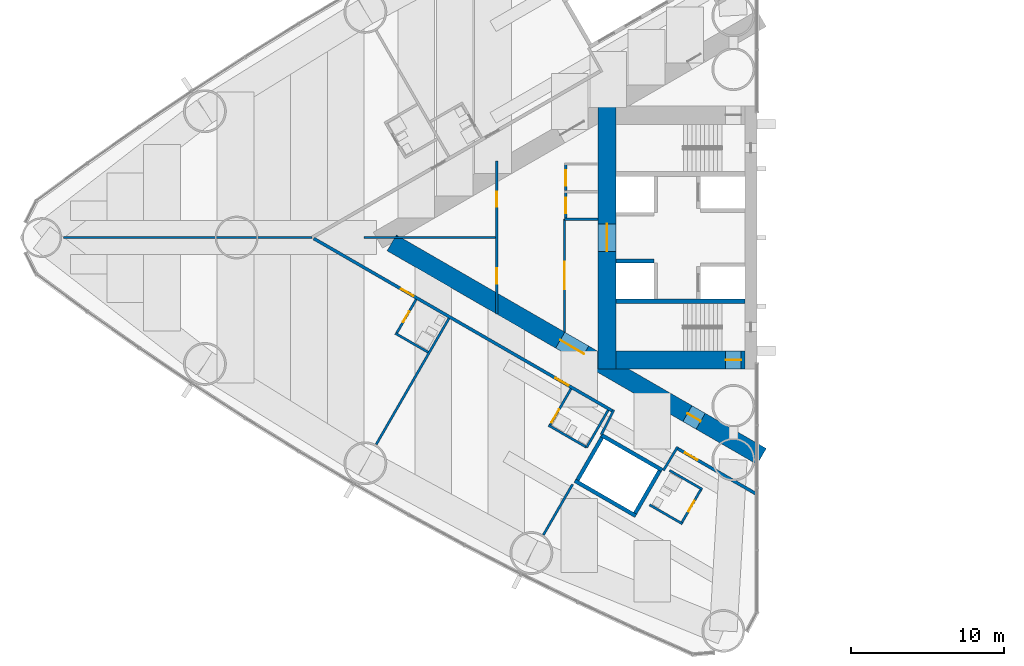
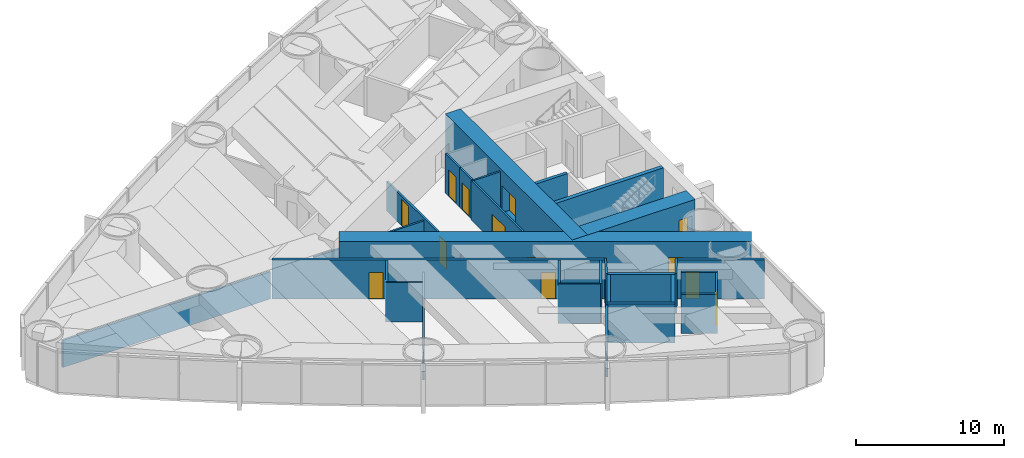
# One storey, part 11 of 19: 30 walls, 15 doors, 15 openings.
"""IFC4 building model written with IfcOpenShell, lengths in metres."""

from ifc_helpers import new_model, si_unit, direction, frame, frame_2d, origin, place, context, subcontext, project, spatial, rectangle, extrude, material, layer, layer_set, type_object, element, fill, save


model = new_model("IFC4")

# Units and contexts
model_context = context("Model", 3, precision=1e-05, world=origin(), true_north=direction((0.0, 1.0)))
body_context = subcontext(model_context, "Body", "Model", "MODEL_VIEW")
ifc_project = project(units=[si_unit("LENGTHUNIT", "METRE"), si_unit("AREAUNIT", "SQUARE_METRE"), si_unit("VOLUMEUNIT", "CUBIC_METRE"), si_unit("PLANEANGLEUNIT", "RADIAN"), si_unit("MASSUNIT", "GRAM", prefix="KILO")], contexts=[model_context])

# Site, building, storey
site_placement = place(None, origin())
site = spatial("IfcSite", under=ifc_project, at=site_placement, CompositionType="ELEMENT")
building_placement = place(site_placement, origin())
building = spatial("IfcBuilding", under=site, at=building_placement, Name="Lancet Gate Hotel", CompositionType="ELEMENT")
storey_placement = place(building_placement, frame((0.0, 0.0, 21.5)))
storey = spatial("IfcBuildingStorey", under=building, at=storey_placement, Name="L04", CompositionType="ELEMENT", Elevation=21.5)

# Wall
ifc_material_1 = material(Name="Moisture resistant board partition")
ifc_layer_1 = layer(ifc_material_1, 0.14990234375)
ifc_layer_set_1 = layer_set([ifc_layer_1], Name="Bathroom wall 150")
wall_type_1 = type_object("IfcWallType", Name="Bathroom wall 150", PredefinedType="PARTITIONING", material=ifc_layer_set_1)
wall_1_placement = place(storey_placement, frame((-48.99169921875, -7.491943359375, 0.0), z_axis=(0.0, 0.0, 1.0), x_axis=(-0.866031185235, 0.4999899861, 0.0)))
element("IfcWall", 1, at=wall_1_placement, inside=storey, type_object=wall_type_1, Name="T1 bathroom wall 150 L04", PredefinedType="PARTITIONING", context=body_context, shape_type="SweptSolid", body=[
    extrude(rectangle(XDim=2.47509765625, YDim=0.14990234375, at=frame_2d((1.237548828125, 0.0))), origin(), (0.0, 0.0, 1.0), 3.25),
])

# Wall, opening, door
wall_2_placement = place(storey_placement, frame((-49.770263671875, -4.040283203125, 0.0), z_axis=(0.0, 0.0, 1.0), x_axis=(-0.500006934395, -0.866021400173, 0.0)))
wall_2 = element("IfcWall", 2, at=wall_2_placement, inside=storey, type_object=wall_type_1, Name="T1 bathroom wall 150 L04", PredefinedType="PARTITIONING", context=body_context, shape_type="SweptSolid", body=[
    extrude(rectangle(XDim=2.60009765625, YDim=0.14990234375, at=frame_2d((1.300048828125, 0.0))), origin(), (0.0, 0.0, 1.0), 3.25),
])
opening_1_placement = place(wall_2_placement, frame((0.89990234375, 0.0, 0.0)))
opening_1 = element("IfcOpeningElement", 3, at=opening_1_placement, cuts=wall_2, Name="Opening 0405-B", PredefinedType="OPENING", context=body_context, shape_type="SweptSolid", body=[
    extrude(rectangle(XDim=0.800048828125, YDim=2.199951171875, at=frame_2d((0.39990234375, 1.10009765625))), frame((0.0, 0.0849609375, 0.0), z_axis=(0.0, -1.0, 0.0), x_axis=(1.0, 0.0, 0.0)), (0.0, 0.0, 1.0), 0.169921875),
])
ifc_material_2 = material(Name="Timber door set", Category="wood")
door_type_1 = type_object("IfcDoorType", Name="Bathroom door 800", OperationType="SINGLE_SWING_RIGHT", PredefinedType="DOOR", material=ifc_material_2)
door_1_placement = place(opening_1_placement, origin())
door_1 = element("IfcDoor", 4, at=door_1_placement, inside=storey, type_object=door_type_1, Name="0405-B", OperationType="SINGLE_SWING_RIGHT", OverallHeight=2.199951171875, OverallWidth=0.800048828125, PredefinedType="DOOR", context=body_context, shape_type="SweptSolid", body=[
    extrude(rectangle(XDim=0.800048828125, YDim=2.199951171875, at=frame_2d((0.39990234375, 1.10009765625))), frame((0.0, 0.02490234375, 0.0), z_axis=(0.0, -1.0, 0.0), x_axis=(1.0, 0.0, 0.0)), (0.0, 0.0, 1.0), 0.050048828125),
])
fill(opening_1, door_1)

# Wall
wall_3_placement = place(storey_placement, frame((-38.630126953125, -13.705322265625, 0.0), z_axis=(0.0, 0.0, 1.0), x_axis=(-0.866018712932, 0.500011588718, 0.0)))
element("IfcWall", 5, at=wall_3_placement, inside=storey, type_object=wall_type_1, Name="T1 bathroom wall 150 L04", PredefinedType="PARTITIONING", context=body_context, shape_type="SweptSolid", body=[
    extrude(rectangle(XDim=2.875, YDim=0.14990234375, at=frame_2d((1.4375, 0.0))), origin(), (0.0, 0.0, 1.0), 3.25),
])

# Wall, opening, door
wall_4_placement = place(storey_placement, frame((-39.65478515625, -9.88037109375, 0.0), z_axis=(0.0, 0.0, 1.0), x_axis=(-0.500049511043, -0.865996816683, 0.0)))
wall_4 = element("IfcWall", 6, at=wall_4_placement, inside=storey, type_object=wall_type_1, Name="T1 bathroom wall 150 L04", PredefinedType="PARTITIONING", context=body_context, shape_type="SweptSolid", body=[
    extrude(rectangle(XDim=2.800048828125, YDim=0.14990234375, at=frame_2d((1.39990234375, 0.0))), origin(), (0.0, 0.0, 1.0), 3.25),
])
opening_2_placement = place(wall_4_placement, frame((1.550048828125, 0.0, 0.0)))
opening_2 = element("IfcOpeningElement", 7, at=opening_2_placement, cuts=wall_4, Name="Opening 0407-B", PredefinedType="OPENING", context=body_context, shape_type="SweptSolid", body=[
    extrude(rectangle(XDim=1.0, YDim=2.199951171875, at=frame_2d((0.5, 1.10009765625))), frame((0.0, 0.0849609375, 0.0), z_axis=(0.0, -1.0, 0.0), x_axis=(1.0, 0.0, 0.0)), (0.0, 0.0, 1.0), 0.169921875),
])
ifc_material_3 = material(Name="Timber door set", Category="wood")
door_type_2 = type_object("IfcDoorType", Name="Accessible en-suite door 1000", OperationType="SINGLE_SWING_RIGHT", PredefinedType="DOOR", material=ifc_material_3)
door_2_placement = place(opening_2_placement, origin())
door_2 = element("IfcDoor", 8, at=door_2_placement, inside=storey, type_object=door_type_2, Name="0407-B", OperationType="SINGLE_SWING_RIGHT", OverallHeight=2.199951171875, OverallWidth=1.0, PredefinedType="DOOR", context=body_context, shape_type="SweptSolid", body=[
    extrude(rectangle(XDim=1.0, YDim=2.199951171875, at=frame_2d((0.5, 1.10009765625))), frame((0.0, 0.02490234375, 0.0), z_axis=(0.0, -1.0, 0.0), x_axis=(1.0, 0.0, 0.0)), (0.0, 0.0, 1.0), 0.050048828125),
])
fill(opening_2, door_2)

# Walls
wall_5_placement = place(storey_placement, frame((-37.22998046875, -11.280517578125, 0.0), z_axis=(0.0, 0.0, 1.0), x_axis=(-0.500049511043, -0.865996816683, 0.0)))
element("IfcWall", 9, at=wall_5_placement, inside=storey, type_object=wall_type_1, Name="T1 bathroom wall 150 L04", PredefinedType="PARTITIONING", context=body_context, shape_type="SweptSolid", body=[
    extrude(rectangle(XDim=2.800048828125, YDim=0.14990234375, at=frame_2d((1.39990234375, 0.0))), origin(), (0.0, 0.0, 1.0), 3.25),
])
wall_6_placement = place(storey_placement, frame((-32.3759765625, -18.70166015625, 0.0), z_axis=(0.0, 0.0, 1.0), x_axis=(-0.866006523861, 0.500032699561, 0.0)))
element("IfcWall", 10, at=wall_6_placement, inside=storey, type_object=wall_type_1, Name="T1 bathroom wall 150 L04", PredefinedType="PARTITIONING", context=body_context, shape_type="SweptSolid", body=[
    extrude(rectangle(XDim=2.474853515625, YDim=0.14990234375, at=frame_2d((1.2373046875, 0.0))), origin(), (0.0, 0.0, 1.0), 3.25),
])

# Wall, opening, door
wall_7_placement = place(storey_placement, frame((-31.140869140625, -16.41259765625, 0.0), z_axis=(0.0, 0.0, 1.0), x_axis=(-0.500006934395, -0.866021400173, 0.0)))
wall_7 = element("IfcWall", 11, at=wall_7_placement, inside=storey, type_object=wall_type_1, Name="T1 bathroom wall 150 L04", PredefinedType="PARTITIONING", context=body_context, shape_type="SweptSolid", body=[
    extrude(rectangle(XDim=2.60009765625, YDim=0.14990234375, at=frame_2d((1.300048828125, 0.0))), origin(), (0.0, 0.0, 1.0), 3.25),
])
opening_3_placement = place(wall_7_placement, frame((0.89990234375, 0.0, 0.0)))
opening_3 = element("IfcOpeningElement", 12, at=opening_3_placement, cuts=wall_7, Name="Opening 0408-B", PredefinedType="OPENING", context=body_context, shape_type="SweptSolid", body=[
    extrude(rectangle(XDim=0.800048828125, YDim=2.199951171875, at=frame_2d((0.39990234375, 1.10009765625))), frame((0.0, 0.0849609375, 0.0), z_axis=(0.0, -1.0, 0.0), x_axis=(1.0, 0.0, 0.0)), (0.0, 0.0, 1.0), 0.169921875),
])
door_3_placement = place(opening_3_placement, origin())
door_3 = element("IfcDoor", 13, at=door_3_placement, inside=storey, type_object=door_type_1, Name="0408-B", OperationType="SINGLE_SWING_RIGHT", OverallHeight=2.199951171875, OverallWidth=0.800048828125, PredefinedType="DOOR", context=body_context, shape_type="SweptSolid", body=[
    extrude(rectangle(XDim=0.800048828125, YDim=2.199951171875, at=frame_2d((0.39990234375, 1.10009765625))), frame((0.0, 0.02490234375, 0.0), z_axis=(0.0, -1.0, 0.0), x_axis=(1.0, 0.0, 0.0)), (0.0, 0.0, 1.0), 0.050048828125),
])
fill(opening_3, door_3)

# Wall
wall_8_placement = place(storey_placement, frame((-31.075927734375, -16.449951171875, 0.0), z_axis=(0.0, 0.0, 1.0), x_axis=(-0.866073894602, 0.499916002032, 0.0)))
element("IfcWall", 14, at=wall_8_placement, inside=storey, type_object=wall_type_1, Name="T1 bathroom wall 150 L04", PredefinedType="PARTITIONING", context=body_context, shape_type="SweptSolid", body=[
    extrude(rectangle(XDim=2.47509765625, YDim=0.14990234375, at=frame_2d((1.237548828125, 0.0))), origin(), (0.0, 0.0, 1.0), 3.25),
])

# Wall, openings, doors
ifc_material_4 = material(Name="Concrete C70/85", Category="concrete")
ifc_layer_2 = layer(ifc_material_4, 1.199951171875)
ifc_layer_set_2 = layer_set([ifc_layer_2], Name="Buttress wall 1200")
wall_type_2 = type_object("IfcWallType", Name="Buttress wall 1200", PredefinedType="SHEAR", material=ifc_layer_set_2)
wall_9_placement = place(storey_placement, frame((-27.199951171875, -14.300048828125, 0.0), z_axis=(0.0, 0.0, 1.0), x_axis=(-0.866024021859, 0.500002393557, 0.0)))
wall_9 = element("IfcWall", 15, at=wall_9_placement, inside=storey, type_object=wall_type_2, Name="T1 buttress wall N L04", PredefinedType="SHEAR", context=body_context, shape_type="SweptSolid", body=[
    extrude(rectangle(XDim=27.906982421875, YDim=1.199951171875, at=frame_2d((13.95361328125, 0.0))), origin(), (0.0, 0.0, 1.0), 3.5),
])
opening_4_placement = place(wall_9_placement, frame((4.60009765625, 0.0, 0.0)))
opening_4 = element("IfcOpeningElement", 16, at=opening_4_placement, cuts=wall_9, Name="Opening T1-L04-LN", PredefinedType="OPENING", context=body_context, shape_type="SweptSolid", body=[
    extrude(rectangle(XDim=1.0, YDim=2.199951171875, at=frame_2d((0.5, 1.10009765625))), frame((0.0, 0.60986328125, 0.0), z_axis=(0.0, -1.0, 0.0), x_axis=(1.0, 0.0, 0.0)), (0.0, 0.0, 1.0), 1.219970703125),
])
opening_5_placement = place(wall_9_placement, frame((13.39453125, 0.0, 0.0)))
opening_5 = element("IfcOpeningElement", 17, at=opening_5_placement, cuts=wall_9, Name="Opening T1-L04-LHN", PredefinedType="OPENING", context=body_context, shape_type="SweptSolid", body=[
    extrude(rectangle(XDim=1.800048828125, YDim=2.199951171875, at=frame_2d((0.89990234375, 1.10009765625))), frame((0.0, 0.60986328125, 0.0), z_axis=(0.0, -1.0, 0.0), x_axis=(1.0, 0.0, 0.0)), (0.0, 0.0, 1.0), 1.219970703125),
])
ifc_material_5 = material(Name="Timber door set", Category="wood")
door_type_3 = type_object("IfcDoorType", Name="Lobby double door 1800", OperationType="DOUBLE_DOOR_SINGLE_SWING", PredefinedType="DOOR", material=ifc_material_5)
door_4_placement = place(opening_5_placement, origin())
door_4 = element("IfcDoor", 18, at=door_4_placement, inside=storey, type_object=door_type_3, Name="T1-L04-LHN", OperationType="DOUBLE_DOOR_SINGLE_SWING", OverallHeight=2.199951171875, OverallWidth=1.800048828125, PredefinedType="DOOR", context=body_context, shape_type="SweptSolid", body=[
    extrude(rectangle(XDim=1.800048828125, YDim=2.199951171875, at=frame_2d((0.89990234375, 1.10009765625))), frame((0.0, 0.02490234375, 0.0), z_axis=(0.0, -1.0, 0.0), x_axis=(1.0, 0.0, 0.0)), (0.0, 0.0, 1.0), 0.050048828125),
])
fill(opening_5, door_4)
ifc_material_6 = material(Name="Timber door set", Category="wood")
door_type_4 = type_object("IfcDoorType", Name="Stair lobby door 1000", OperationType="SINGLE_SWING_LEFT", PredefinedType="DOOR", material=ifc_material_6)
door_5_placement = place(opening_4_placement, origin())
door_5 = element("IfcDoor", 19, at=door_5_placement, inside=storey, type_object=door_type_4, Name="T1-L04-LN", OperationType="SINGLE_SWING_LEFT", OverallHeight=2.199951171875, OverallWidth=1.0, PredefinedType="DOOR", context=body_context, shape_type="SweptSolid", body=[
    extrude(rectangle(XDim=1.0, YDim=2.199951171875, at=frame_2d((0.5, 1.10009765625))), frame((0.0, 0.02490234375, 0.0), z_axis=(0.0, -1.0, 0.0), x_axis=(1.0, 0.0, 0.0)), (0.0, 0.0, 1.0), 0.050048828125),
])
fill(opening_4, door_5)

# Wall, opening, door
ifc_material_7 = material(Name="Concrete C70/85", Category="concrete")
ifc_layer_3 = layer(ifc_material_7, 1.199951171875)
ifc_layer_set_3 = layer_set([ifc_layer_3], Name="Core wall 1200")
wall_type_3 = type_object("IfcWallType", Name="Core wall 1200", PredefinedType="SHEAR", material=ifc_layer_set_3)
wall_10_placement = place(storey_placement, frame((-37.300048828125, 8.60009765625, 0.0), z_axis=(0.0, 0.0, 1.0), x_axis=(0.0, -1.0, 0.0)))
wall_10 = element("IfcWall", 20, at=wall_10_placement, inside=storey, type_object=wall_type_3, Name="T1 core wall back L04", PredefinedType="SHEAR", context=body_context, shape_type="SweptSolid", body=[
    extrude(rectangle(XDim=17.2001953125, YDim=1.199951171875, at=frame_2d((8.60009765625, 0.0))), origin(), (0.0, 0.0, 1.0), 3.5),
])
opening_6_placement = place(wall_10_placement, frame((7.699951171875, 0.0, 0.0)))
opening_6 = element("IfcOpeningElement", 21, at=opening_6_placement, cuts=wall_10, Name="Opening T1-L04-LL", PredefinedType="OPENING", context=body_context, shape_type="SweptSolid", body=[
    extrude(rectangle(XDim=1.800048828125, YDim=2.199951171875, at=frame_2d((0.89990234375, 1.10009765625))), frame((0.0, 0.60986328125, 0.0), z_axis=(0.0, -1.0, 0.0), x_axis=(1.0, 0.0, 0.0)), (0.0, 0.0, 1.0), 1.219970703125),
])
door_6_placement = place(opening_6_placement, origin())
door_6 = element("IfcDoor", 22, at=door_6_placement, inside=storey, type_object=door_type_3, Name="T1-L04-LL", OperationType="DOUBLE_DOOR_SINGLE_SWING", OverallHeight=2.199951171875, OverallWidth=1.800048828125, PredefinedType="DOOR", context=body_context, shape_type="SweptSolid", body=[
    extrude(rectangle(XDim=1.800048828125, YDim=2.199951171875, at=frame_2d((0.89990234375, 1.10009765625))), frame((0.0, 0.02490234375, 0.0), z_axis=(0.0, -1.0, 0.0), x_axis=(1.0, 0.0, 0.0)), (0.0, 0.0, 1.0), 0.050048828125),
])
fill(opening_6, door_6)

wall_11_placement = place(storey_placement, frame((-28.300048828125, -8.0, 0.0), z_axis=(0.0, 0.0, 1.0), x_axis=(-1.0, 0.0, 0.0)))
wall_11 = element("IfcWall", 23, at=wall_11_placement, inside=storey, type_object=wall_type_3, Name="T1 core wall side-N L04", PredefinedType="SHEAR", context=body_context, shape_type="SweptSolid", body=[
    extrude(rectangle(XDim=8.39990234375, YDim=1.199951171875, at=frame_2d((4.199951171875, 0.0))), origin(), (0.0, 0.0, 1.0), 3.5),
])
opening_7_placement = place(wall_11_placement, frame((0.25, 0.0, 0.0)))
opening_7 = element("IfcOpeningElement", 24, at=opening_7_placement, cuts=wall_11, Name="Opening T1-L04-ST2", PredefinedType="OPENING", context=body_context, shape_type="SweptSolid", body=[
    extrude(rectangle(XDim=1.0, YDim=2.199951171875, at=frame_2d((0.5, 1.10009765625))), frame((0.0, 0.60986328125, 0.0), z_axis=(0.0, -1.0, 0.0), x_axis=(1.0, 0.0, 0.0)), (0.0, 0.0, 1.0), 1.219970703125),
])
ifc_material_8 = material(Name="Timber door set", Category="wood")
door_type_5 = type_object("IfcDoorType", Name="Stair door 1000", OperationType="SINGLE_SWING_RIGHT", PredefinedType="DOOR", material=ifc_material_8)
door_7_placement = place(opening_7_placement, origin())
door_7 = element("IfcDoor", 25, at=door_7_placement, inside=storey, type_object=door_type_5, Name="T1-L04-ST2", OperationType="SINGLE_SWING_RIGHT", OverallHeight=2.199951171875, OverallWidth=1.0, PredefinedType="DOOR", context=body_context, shape_type="SweptSolid", body=[
    extrude(rectangle(XDim=1.0, YDim=2.199951171875, at=frame_2d((0.5, 1.10009765625))), frame((0.0, 0.02490234375, 0.0), z_axis=(0.0, -1.0, 0.0), x_axis=(1.0, 0.0, 0.0)), (0.0, 0.0, 1.0), 0.050048828125),
])
fill(opening_7, door_7)

ifc_material_9 = material(Name="Gypsum board partition")
ifc_layer_4 = layer(ifc_material_9, 0.199951171875)
ifc_layer_set_4 = layer_set([ifc_layer_4], Name="Corridor wall 200")
wall_type_4 = type_object("IfcWallType", Name="Corridor wall 200", PredefinedType="PARTITIONING", material=ifc_layer_set_4)
wall_12_placement = place(storey_placement, frame((-27.572021484375, -16.740966796875, 0.0), z_axis=(0.0, 0.0, 1.0), x_axis=(-0.866024464444, 0.500001626982, 0.0)))
wall_12 = element("IfcWall", 26, at=wall_12_placement, inside=storey, type_object=wall_type_4, Name="T1 corridor wall 200 L04", PredefinedType="PARTITIONING", context=body_context, shape_type="SweptSolid", body=[
    extrude(rectangle(XDim=5.955078125, YDim=0.199951171875, at=frame_2d((2.9775390625, 0.0))), origin(), (0.0, 0.0, 1.0), 3.25),
])
opening_8_placement = place(wall_12_placement, frame((4.405029296875, 0.0, 0.0)))
opening_8 = element("IfcOpeningElement", 27, at=opening_8_placement, cuts=wall_12, Name="Opening 0408-E", PredefinedType="OPENING", context=body_context, shape_type="SweptSolid", body=[
    extrude(rectangle(XDim=0.949951171875, YDim=2.199951171875, at=frame_2d((0.47509765625, 1.10009765625))), frame((0.0, 0.10986328125, 0.0), z_axis=(0.0, -1.0, 0.0), x_axis=(1.0, 0.0, 0.0)), (0.0, 0.0, 1.0), 0.219970703125),
])
ifc_material_10 = material(Name="Timber door set", Category="wood")
door_type_6 = type_object("IfcDoorType", Name="Guest room entry door 950", OperationType="SINGLE_SWING_LEFT", PredefinedType="DOOR", material=ifc_material_10)
door_8_placement = place(opening_8_placement, origin())
door_8 = element("IfcDoor", 28, at=door_8_placement, inside=storey, type_object=door_type_6, Name="0408-E", OperationType="SINGLE_SWING_LEFT", OverallHeight=2.199951171875, OverallWidth=0.949951171875, PredefinedType="DOOR", context=body_context, shape_type="SweptSolid", body=[
    extrude(rectangle(XDim=0.949951171875, YDim=2.199951171875, at=frame_2d((0.47509765625, 1.10009765625))), frame((0.0, 0.02490234375, 0.0), z_axis=(0.0, -1.0, 0.0), x_axis=(1.0, 0.0, 0.0)), (0.0, 0.0, 1.0), 0.050048828125),
])
fill(opening_8, door_8)

# Wall, openings, doors
wall_13_placement = place(storey_placement, frame((-36.920166015625, -11.34375, 0.0), z_axis=(0.0, 0.0, 1.0), x_axis=(-0.866028313256, 0.499994960614, 0.0)))
wall_13 = element("IfcWall", 29, at=wall_13_placement, inside=storey, type_object=wall_type_4, Name="T1 corridor wall 200 L04", PredefinedType="PARTITIONING", context=body_context, shape_type="SweptSolid", body=[
    extrude(rectangle(XDim=22.567626953125, YDim=0.199951171875, at=frame_2d((11.28369140625, 0.0))), origin(), (0.0, 0.0, 1.0), 3.25),
])
opening_9_placement = place(wall_13_placement, frame((15.0302734375, 0.0, 0.0)))
opening_9 = element("IfcOpeningElement", 30, at=opening_9_placement, cuts=wall_13, Name="Opening 0405-E", PredefinedType="OPENING", context=body_context, shape_type="SweptSolid", body=[
    extrude(rectangle(XDim=0.949951171875, YDim=2.199951171875, at=frame_2d((0.47509765625, 1.10009765625))), frame((0.0, 0.10986328125, 0.0), z_axis=(0.0, -1.0, 0.0), x_axis=(1.0, 0.0, 0.0)), (0.0, 0.0, 1.0), 0.219970703125),
])
opening_10_placement = place(wall_13_placement, frame((3.35009765625, 0.0, 0.0)))
opening_10 = element("IfcOpeningElement", 31, at=opening_10_placement, cuts=wall_13, Name="Opening 0407-E", PredefinedType="OPENING", context=body_context, shape_type="SweptSolid", body=[
    extrude(rectangle(XDim=1.0, YDim=2.199951171875, at=frame_2d((0.5, 1.10009765625))), frame((0.0, 0.10986328125, 0.0), z_axis=(0.0, -1.0, 0.0), x_axis=(1.0, 0.0, 0.0)), (0.0, 0.0, 1.0), 0.219970703125),
])
ifc_material_11 = material(Name="Timber door set", Category="wood")
door_type_7 = type_object("IfcDoorType", Name="Accessible guest room door 1000", OperationType="SINGLE_SWING_LEFT", PredefinedType="DOOR", material=ifc_material_11)
door_9_placement = place(opening_10_placement, origin())
door_9 = element("IfcDoor", 32, at=door_9_placement, inside=storey, type_object=door_type_7, Name="0407-E", OperationType="SINGLE_SWING_LEFT", OverallHeight=2.199951171875, OverallWidth=1.0, PredefinedType="DOOR", context=body_context, shape_type="SweptSolid", body=[
    extrude(rectangle(XDim=1.0, YDim=2.199951171875, at=frame_2d((0.5, 1.10009765625))), frame((0.0, 0.02490234375, 0.0), z_axis=(0.0, -1.0, 0.0), x_axis=(1.0, 0.0, 0.0)), (0.0, 0.0, 1.0), 0.050048828125),
])
fill(opening_10, door_9)
door_10_placement = place(opening_9_placement, origin())
door_10 = element("IfcDoor", 33, at=door_10_placement, inside=storey, type_object=door_type_6, Name="0405-E", OperationType="SINGLE_SWING_LEFT", OverallHeight=2.199951171875, OverallWidth=0.949951171875, PredefinedType="DOOR", context=body_context, shape_type="SweptSolid", body=[
    extrude(rectangle(XDim=0.949951171875, YDim=2.199951171875, at=frame_2d((0.47509765625, 1.10009765625))), frame((0.0, 0.02490234375, 0.0), z_axis=(0.0, -1.0, 0.0), x_axis=(1.0, 0.0, 0.0)), (0.0, 0.0, 1.0), 0.050048828125),
])
fill(opening_9, door_10)

# Walls
ifc_material_12 = material(Name="Gypsum board partition")
ifc_layer_5 = layer(ifc_material_12, 0.25)
ifc_layer_set_5 = layer_set([ifc_layer_5], Name="Lift shaft partition 250")
wall_type_5 = type_object("IfcWallType", Name="Lift shaft partition 250", PredefinedType="PARTITIONING", material=ifc_layer_set_5)
wall_14_placement = place(storey_placement, frame((-33.695556640625, -15.197265625, 0.0), z_axis=(0.0, 0.0, 1.0), x_axis=(-0.865976953817, 0.500083908417, 0.0)))
element("IfcWall", 34, at=wall_14_placement, inside=storey, type_object=wall_type_5, Name="T1 lift shaft wall EX L04", PredefinedType="PARTITIONING", context=body_context, shape_type="SweptSolid", body=[
    extrude(rectangle(XDim=4.599365234375, YDim=0.25, at=frame_2d((2.2998046875, 0.0))), origin(), (0.0, 0.0, 1.0), 3.25),
])
wall_15_placement = place(storey_placement, frame((-35.42041015625, -18.185791015625, 0.0), z_axis=(0.0, 0.0, 1.0), x_axis=(-0.865990227814, 0.50006092162, 0.0)))
element("IfcWall", 35, at=wall_15_placement, inside=storey, type_object=wall_type_5, Name="T1 lift shaft wall EX L04", PredefinedType="PARTITIONING", context=body_context, shape_type="SweptSolid", body=[
    extrude(rectangle(XDim=4.599609375, YDim=0.25, at=frame_2d((2.2998046875, 0.0))), origin(), (0.0, 0.0, 1.0), 3.25),
])
wall_16_placement = place(storey_placement, frame((-33.8662109375, -15.242919921875, 0.0), z_axis=(0.0, 0.0, 1.0), x_axis=(-0.499929347863, -0.866066190972, 0.0)))
element("IfcWall", 36, at=wall_16_placement, inside=storey, type_object=wall_type_5, Name="T1 lift shaft wall EX L04", PredefinedType="PARTITIONING", context=body_context, shape_type="SweptSolid", body=[
    extrude(rectangle(XDim=3.20068359375, YDim=0.25, at=frame_2d((1.600341796875, 0.0))), origin(), (0.0, 0.0, 1.0), 3.25),
])
wall_17_placement = place(storey_placement, frame((-37.6328125, -13.068115234375, 0.0), z_axis=(0.0, 0.0, 1.0), x_axis=(-0.499872130319, -0.866099216793, 0.0)))
element("IfcWall", 37, at=wall_17_placement, inside=storey, type_object=wall_type_5, Name="T1 lift shaft wall EX L04", PredefinedType="PARTITIONING", context=body_context, shape_type="SweptSolid", body=[
    extrude(rectangle(XDim=3.200439453125, YDim=0.25, at=frame_2d((1.60009765625, 0.0))), origin(), (0.0, 0.0, 1.0), 3.25),
])
ifc_material_13 = material(Name="Concrete C50/60", Category="concrete")
ifc_layer_6 = layer(ifc_material_13, 0.25)
ifc_layer_set_6 = layer_set([ifc_layer_6], Name="Lift shaft wall 250")
wall_type_6 = type_object("IfcWallType", Name="Lift shaft wall 250", PredefinedType="SHEAR", material=ifc_layer_set_6)
wall_18_placement = place(storey_placement, frame((-34.25, -1.52490234375, 0.0), z_axis=(0.0, 0.0, 1.0), x_axis=(-1.0, 0.0, 0.0)))
element("IfcWall", 38, at=wall_18_placement, inside=storey, type_object=wall_type_6, Name="T1 core wall pass2-N L04", PredefinedType="SHEAR", context=body_context, shape_type="SweptSolid", body=[
    extrude(rectangle(XDim=2.449951171875, YDim=0.25, at=frame_2d((1.22509765625, 0.0))), origin(), (0.0, 0.0, 1.0), 3.5),
])
ifc_material_14 = material(Name="Gypsum board partition")
ifc_layer_7 = layer(ifc_material_14, 0.14990234375)
ifc_layer_set_7 = layer_set([ifc_layer_7], Name="Party wall 150")
wall_type_7 = type_object("IfcWallType", Name="Party wall 150", PredefinedType="PARTITIONING", material=ifc_layer_set_7)
wall_19_placement = place(storey_placement, frame((-47.626708984375, -5.27783203125, 0.0), z_axis=(0.0, 0.0, 1.0), x_axis=(-0.500009844318, -0.86601972009, 0.0)))
element("IfcWall", 39, at=wall_19_placement, inside=storey, type_object=wall_type_7, Name="T1 party wall 150 L04", PredefinedType="PARTITIONING", context=body_context, shape_type="SweptSolid", body=[
    extrude(rectangle(XDim=9.510498046875, YDim=0.14990234375, at=frame_2d((4.75537109375, 0.0))), origin(), (0.0, 0.0, 1.0), 2.25),
])
wall_20_placement = place(storey_placement, frame((-56.568359375, 0.0, 0.0), z_axis=(0.0, 0.0, 1.0), x_axis=(-1.0, 0.0, 0.0)))
element("IfcWall", 40, at=wall_20_placement, inside=storey, type_object=wall_type_7, Name="T1 party wall 150 L04", PredefinedType="PARTITIONING", context=body_context, shape_type="SweptSolid", body=[
    extrude(rectangle(XDim=16.246826171875, YDim=0.14990234375, at=frame_2d((8.12353515625, 0.0))), origin(), (0.0, 0.0, 1.0), 2.25),
])
wall_21_placement = place(storey_placement, frame((-39.55078125, -16.118408203125, 0.0), z_axis=(0.0, 0.0, 1.0), x_axis=(-0.499986503906, -0.866033195618, 0.0)))
element("IfcWall", 41, at=wall_21_placement, inside=storey, type_object=wall_type_7, Name="T1 party wall 150 L04", PredefinedType="PARTITIONING", context=body_context, shape_type="SweptSolid", body=[
    extrude(rectangle(XDim=3.81494140625, YDim=0.14990234375, at=frame_2d((1.907470703125, 0.0))), origin(), (0.0, 0.0, 1.0), 3.25),
])
ifc_material_15 = material(Name="Gypsum board partition")
ifc_layer_8 = layer(ifc_material_15, 0.14990234375)
ifc_layer_set_8 = layer_set([ifc_layer_8], Name="Service room wall 150")
wall_type_8 = type_object("IfcWallType", Name="Service room wall 150", PredefinedType="PARTITIONING", material=ifc_layer_set_8)
wall_22_placement = place(storey_placement, frame((-36.857177734375, -11.2646484375, 0.0), z_axis=(0.0, 0.0, 1.0), x_axis=(-0.454225294761, -0.890886851176, 0.0)))
element("IfcWall", 42, at=wall_22_placement, inside=storey, type_object=wall_type_8, Name="T1 service room wall 150 L04", PredefinedType="PARTITIONING", context=body_context, shape_type="SweptSolid", body=[
    extrude(rectangle(XDim=1.80712890625, YDim=0.14990234375, at=frame_2d((0.903564453125, 0.0))), origin(), (0.0, 0.0, 1.0), 3.25),
])
wall_23_placement = place(storey_placement, frame((-33.62060546875, -15.217529296875, 0.0), z_axis=(0.0, 0.0, 1.0), x_axis=(0.514336634837, 0.857588377991, 0.0)))
element("IfcWall", 43, at=wall_23_placement, inside=storey, type_object=wall_type_8, Name="T1 service room wall 150 L04", PredefinedType="PARTITIONING", context=body_context, shape_type="SweptSolid", body=[
    extrude(rectangle(XDim=1.80517578125, YDim=0.14990234375, at=frame_2d((0.902587890625, 0.0))), origin(), (0.0, 0.0, 1.0), 3.25),
])
wall_24_placement = place(storey_placement, frame((-37.89990234375, 1.199951171875, 0.0), z_axis=(0.0, 0.0, 1.0), x_axis=(-1.0, 0.0, 0.0)))
element("IfcWall", 44, at=wall_24_placement, inside=storey, type_object=wall_type_8, Name="T1 service room wall 150 L04", PredefinedType="PARTITIONING", context=body_context, shape_type="SweptSolid", body=[
    extrude(rectangle(XDim=2.175048828125, YDim=0.14990234375, at=frame_2d((1.08740234375, 0.0))), origin(), (0.0, 0.0, 1.0), 3.25),
])

# Wall, opening, door
wall_25_placement = place(storey_placement, frame((-40.0, 3.074951171875, 0.0), z_axis=(0.0, 0.0, 1.0), x_axis=(0.0, -1.0, 0.0)))
wall_25 = element("IfcWall", 45, at=wall_25_placement, inside=storey, type_object=wall_type_8, Name="T1 service room wall 150 L04", PredefinedType="PARTITIONING", context=body_context, shape_type="SweptSolid", body=[
    extrude(rectangle(XDim=1.949951171875, YDim=0.14990234375, at=frame_2d((0.97509765625, 0.0))), origin(), (0.0, 0.0, 1.0), 3.25),
])
opening_11_placement = place(wall_25_placement, frame((0.47509765625, 0.0, 0.0)))
opening_11 = element("IfcOpeningElement", 46, at=opening_11_placement, cuts=wall_25, Name="Opening T1-L04-HRS0", PredefinedType="OPENING", context=body_context, shape_type="SweptSolid", body=[
    extrude(rectangle(XDim=1.0, YDim=2.199951171875, at=frame_2d((0.5, 1.10009765625))), frame((0.0, 0.0849609375, 0.0), z_axis=(0.0, -1.0, 0.0), x_axis=(1.0, 0.0, 0.0)), (0.0, 0.0, 1.0), 0.169921875),
])
ifc_material_16 = material(Name="Timber door set", Category="wood")
door_type_8 = type_object("IfcDoorType", Name="Service door 1000", OperationType="SINGLE_SWING_LEFT", PredefinedType="DOOR", material=ifc_material_16)
door_11_placement = place(opening_11_placement, origin())
door_11 = element("IfcDoor", 47, at=door_11_placement, inside=storey, type_object=door_type_8, Name="T1-L04-HRS0", OperationType="SINGLE_SWING_LEFT", OverallHeight=2.199951171875, OverallWidth=1.0, PredefinedType="DOOR", context=body_context, shape_type="SweptSolid", body=[
    extrude(rectangle(XDim=1.0, YDim=2.199951171875, at=frame_2d((0.5, 1.10009765625))), frame((0.0, 0.02490234375, 0.0), z_axis=(0.0, -1.0, 0.0), x_axis=(1.0, 0.0, 0.0)), (0.0, 0.0, 1.0), 0.050048828125),
])
fill(opening_11, door_11)

wall_26_placement = place(storey_placement, frame((-40.0, 4.875, 0.0), z_axis=(0.0, 0.0, 1.0), x_axis=(0.0, -1.0, 0.0)))
wall_26 = element("IfcWall", 48, at=wall_26_placement, inside=storey, type_object=wall_type_8, Name="T1 service room wall 150 L04", PredefinedType="PARTITIONING", context=body_context, shape_type="SweptSolid", body=[
    extrude(rectangle(XDim=1.949951171875, YDim=0.14990234375, at=frame_2d((0.97509765625, 0.0))), origin(), (0.0, 0.0, 1.0), 3.25),
])
opening_12_placement = place(wall_26_placement, frame((0.47509765625, 0.0, 0.0)))
opening_12 = element("IfcOpeningElement", 49, at=opening_12_placement, cuts=wall_26, Name="Opening T1-L04-HRS1", PredefinedType="OPENING", context=body_context, shape_type="SweptSolid", body=[
    extrude(rectangle(XDim=1.0, YDim=2.199951171875, at=frame_2d((0.5, 1.10009765625))), frame((0.0, 0.0849609375, 0.0), z_axis=(0.0, -1.0, 0.0), x_axis=(1.0, 0.0, 0.0)), (0.0, 0.0, 1.0), 0.169921875),
])
door_12_placement = place(opening_12_placement, origin())
door_12 = element("IfcDoor", 50, at=door_12_placement, inside=storey, type_object=door_type_8, Name="T1-L04-HRS1", OperationType="SINGLE_SWING_LEFT", OverallHeight=2.199951171875, OverallWidth=1.0, PredefinedType="DOOR", context=body_context, shape_type="SweptSolid", body=[
    extrude(rectangle(XDim=1.0, YDim=2.199951171875, at=frame_2d((0.5, 1.10009765625))), frame((0.0, 0.02490234375, 0.0), z_axis=(0.0, -1.0, 0.0), x_axis=(1.0, 0.0, 0.0)), (0.0, 0.0, 1.0), 0.050048828125),
])
fill(opening_12, door_12)

wall_27_placement = place(storey_placement, frame((-40.074951171875, 1.199951171875, 0.0), z_axis=(0.0, 0.0, 1.0), x_axis=(0.0, -1.0, 0.0)))
wall_27 = element("IfcWall", 51, at=wall_27_placement, inside=storey, type_object=wall_type_8, Name="T1 service room wall 150 L04", PredefinedType="PARTITIONING", context=body_context, shape_type="SweptSolid", body=[
    extrude(rectangle(XDim=7.373779296875, YDim=0.14990234375, at=frame_2d((3.68701171875, 0.0))), origin(), (0.0, 0.0, 1.0), 3.25),
])
opening_13_placement = place(wall_27_placement, frame((2.786865234375, 0.0, 0.0)))
opening_13 = element("IfcOpeningElement", 52, at=opening_13_placement, cuts=wall_27, Name="Opening T1-L04-LH", PredefinedType="OPENING", context=body_context, shape_type="SweptSolid", body=[
    extrude(rectangle(XDim=1.800048828125, YDim=2.199951171875, at=frame_2d((0.89990234375, 1.10009765625))), frame((0.0, 0.0849609375, 0.0), z_axis=(0.0, -1.0, 0.0), x_axis=(1.0, 0.0, 0.0)), (0.0, 0.0, 1.0), 0.169921875),
])
door_13_placement = place(opening_13_placement, origin())
door_13 = element("IfcDoor", 53, at=door_13_placement, inside=storey, type_object=door_type_3, Name="T1-L04-LH", OperationType="DOUBLE_DOOR_SINGLE_SWING", OverallHeight=2.199951171875, OverallWidth=1.800048828125, PredefinedType="DOOR", context=body_context, shape_type="SweptSolid", body=[
    extrude(rectangle(XDim=1.800048828125, YDim=2.199951171875, at=frame_2d((0.89990234375, 1.10009765625))), frame((0.0, 0.02490234375, 0.0), z_axis=(0.0, -1.0, 0.0), x_axis=(1.0, 0.0, 0.0)), (0.0, 0.0, 1.0), 0.050048828125),
])
fill(opening_13, door_13)

# Wall, openings, doors
wall_28_placement = place(storey_placement, frame((-44.5, 5.004638671875, 0.0), z_axis=(0.0, 0.0, 1.0), x_axis=(0.0, -1.0, 0.0)))
wall_28 = element("IfcWall", 54, at=wall_28_placement, inside=storey, type_object=wall_type_8, Name="T1 service room wall 150 L04", PredefinedType="PARTITIONING", context=body_context, shape_type="SweptSolid", body=[
    extrude(rectangle(XDim=10.00927734375, YDim=0.14990234375, at=frame_2d((5.004638671875, 0.0))), origin(), (0.0, 0.0, 1.0), 2.449951171875),
])
opening_14_placement = place(wall_28_placement, frame((2.002197265625, 0.0, 0.0)))
opening_14 = element("IfcOpeningElement", 55, at=opening_14_placement, cuts=wall_28, Name="Opening T1-L04-SV", PredefinedType="OPENING", context=body_context, shape_type="SweptSolid", body=[
    extrude(rectangle(XDim=1.0, YDim=2.199951171875, at=frame_2d((0.5, 1.10009765625))), frame((0.0, 0.0849609375, 0.0), z_axis=(0.0, -1.0, 0.0), x_axis=(1.0, 0.0, 0.0)), (0.0, 0.0, 1.0), 0.169921875),
])
opening_15_placement = place(wall_28_placement, frame((7.0068359375, 0.0, 0.0)))
opening_15 = element("IfcOpeningElement", 56, at=opening_15_placement, cuts=wall_28, Name="Opening T1-L04-SV2", PredefinedType="OPENING", context=body_context, shape_type="SweptSolid", body=[
    extrude(rectangle(XDim=1.0, YDim=2.199951171875, at=frame_2d((0.5, 1.10009765625))), frame((0.0, 0.0849609375, 0.0), z_axis=(0.0, -1.0, 0.0), x_axis=(1.0, 0.0, 0.0)), (0.0, 0.0, 1.0), 0.169921875),
])
door_14_placement = place(opening_14_placement, origin())
door_14 = element("IfcDoor", 57, at=door_14_placement, inside=storey, type_object=door_type_8, Name="T1-L04-SV", OperationType="SINGLE_SWING_LEFT", OverallHeight=2.199951171875, OverallWidth=1.0, PredefinedType="DOOR", context=body_context, shape_type="SweptSolid", body=[
    extrude(rectangle(XDim=1.0, YDim=2.199951171875, at=frame_2d((0.5, 1.10009765625))), frame((0.0, 0.02490234375, 0.0), z_axis=(0.0, -1.0, 0.0), x_axis=(1.0, 0.0, 0.0)), (0.0, 0.0, 1.0), 0.050048828125),
])
fill(opening_14, door_14)
door_15_placement = place(opening_15_placement, origin())
door_15 = element("IfcDoor", 58, at=door_15_placement, inside=storey, type_object=door_type_8, Name="T1-L04-SV2", OperationType="SINGLE_SWING_LEFT", OverallHeight=2.199951171875, OverallWidth=1.0, PredefinedType="DOOR", context=body_context, shape_type="SweptSolid", body=[
    extrude(rectangle(XDim=1.0, YDim=2.199951171875, at=frame_2d((0.5, 1.10009765625))), frame((0.0, 0.02490234375, 0.0), z_axis=(0.0, -1.0, 0.0), x_axis=(1.0, 0.0, 0.0)), (0.0, 0.0, 1.0), 0.050048828125),
])
fill(opening_15, door_15)

# Walls
wall_29_placement = place(storey_placement, frame((-44.574951171875, 0.0, 0.0), z_axis=(0.0, 0.0, 1.0), x_axis=(-1.0, 0.0, 0.0)))
element("IfcWall", 59, at=wall_29_placement, inside=storey, type_object=wall_type_8, Name="T1 service room wall 150 L04", PredefinedType="PARTITIONING", context=body_context, shape_type="SweptSolid", body=[
    extrude(rectangle(XDim=8.59326171875, YDim=0.14990234375, at=frame_2d((4.296630859375, 0.0))), origin(), (0.0, 0.0, 1.0), 2.25),
])
ifc_material_17 = material(Name="Concrete C50/60", Category="concrete")
ifc_layer_9 = layer(ifc_material_17, 0.300048828125)
ifc_layer_set_9 = layer_set([ifc_layer_9], Name="Stair enclosure wall 300")
wall_type_9 = type_object("IfcWallType", Name="Stair enclosure wall 300", PredefinedType="SHEAR", material=ifc_layer_set_9)
wall_30_placement = place(storey_placement, frame((-28.300048828125, -4.14990234375, 0.0), z_axis=(0.0, 0.0, 1.0), x_axis=(-1.0, 0.0, 0.0)))
element("IfcWall", 60, at=wall_30_placement, inside=storey, type_object=wall_type_9, Name="T1 core wall stair-N L04", PredefinedType="SHEAR", context=body_context, shape_type="SweptSolid", body=[
    extrude(rectangle(XDim=8.39990234375, YDim=0.300048828125, at=frame_2d((4.199951171875, 0.0))), origin(), (0.0, 0.0, 1.0), 3.5),
])

save(model, "model.ifc")
